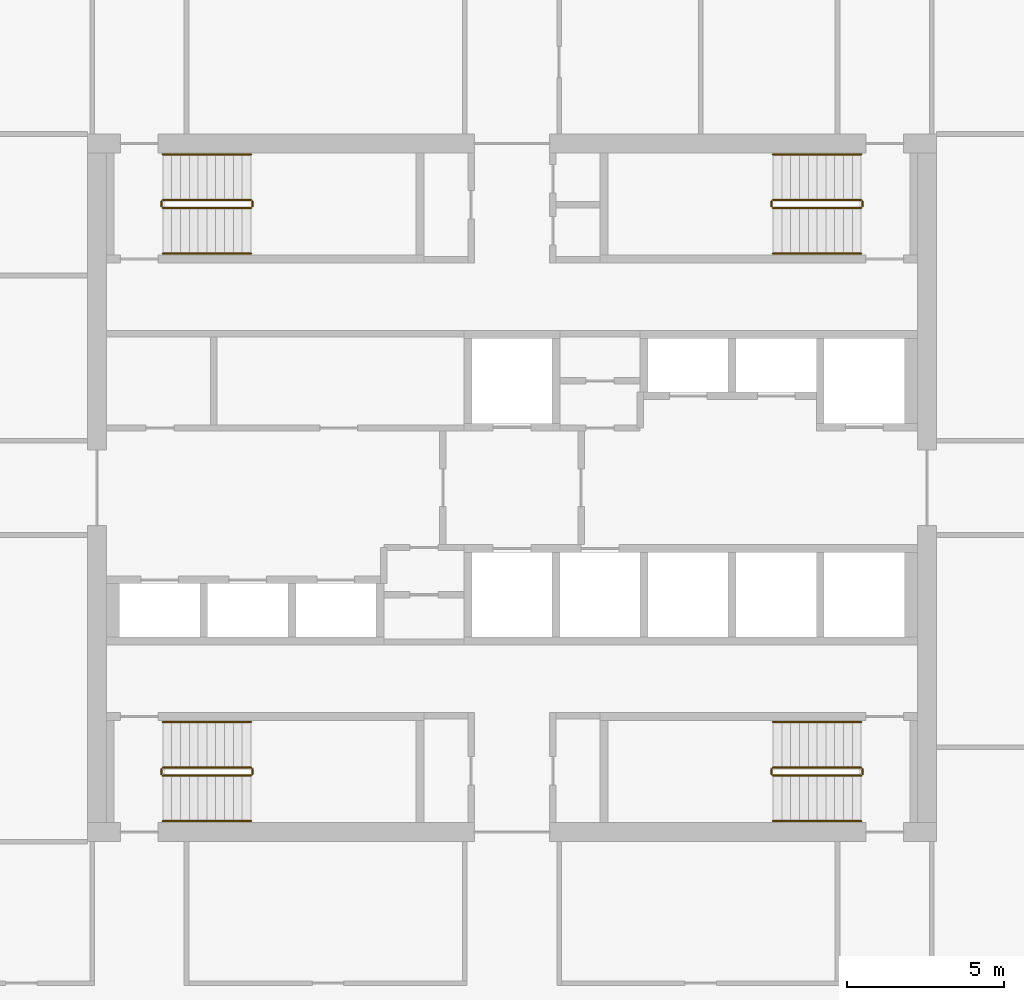
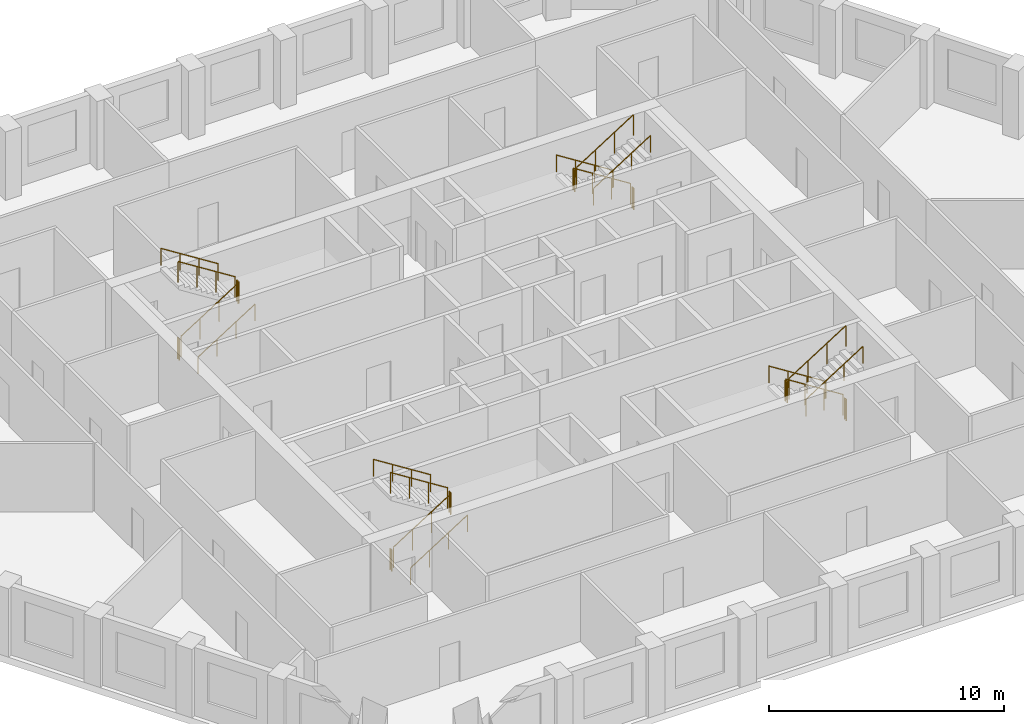
# One storey, part 9 of 9: 24 railings.
"""IFC4 building model written with IfcOpenShell, lengths in metres."""

from ifc_helpers import new_model, si_unit, direction, frame, origin, origin_2d, place, context, subcontext, project, spatial, circle, extrude, material, type_object, element, save


model = new_model("IFC4")

# Units and contexts
model_context = context("Model", 3, precision=1e-05, world=origin(), true_north=direction((0.0, 1.0)))
body_context = subcontext(model_context, "Body", "Model", "MODEL_VIEW")
ifc_project = project(units=[si_unit("LENGTHUNIT", "METRE"), si_unit("AREAUNIT", "SQUARE_METRE"), si_unit("VOLUMEUNIT", "CUBIC_METRE"), si_unit("PLANEANGLEUNIT", "RADIAN"), si_unit("MASSUNIT", "GRAM", prefix="KILO")], contexts=[model_context])

# Site, building, storey
site_placement = place(None, origin())
site = spatial("IfcSite", under=ifc_project, at=site_placement, CompositionType="ELEMENT")
building_placement = place(site_placement, origin())
building = spatial("IfcBuilding", under=site, at=building_placement, Name="Dhurran Vertical Campus", CompositionType="ELEMENT")
storey_placement = place(building_placement, frame((0.0, 0.0, 199.5)))
storey = spatial("IfcBuildingStorey", under=building, at=storey_placement, Name="L49", CompositionType="ELEMENT", Elevation=199.5)

# Railings
ifc_material_1 = material(Name="Stainless steel balustrade", Category="steel")
railing_type_1 = type_object("IfcRailingType", Name="co-RL-GUARD-1100", PredefinedType="GUARDRAIL", material=ifc_material_1)
railing_1_placement = place(storey_placement, frame((-11.10009765625, 8.89990234375, 0.17724609375)))
element("IfcRailing", 1, at=railing_1_placement, inside=storey, type_object=railing_type_1, Name="L49 ST1 stair guard 1", PredefinedType="GUARDRAIL", context=body_context, shape_type="SweptSolid", body=[
    extrude(circle(Radius=0.02392578125, at=origin_2d()), frame((0.0, 0.0, 1.076171875), z_axis=(0.844908973607, 0.0, 0.534910110503), x_axis=(0.0, 1.0, 0.0)), (0.0, 0.0, 1.0), 3.31396484375),
    extrude(circle(Radius=0.02099609375, at=origin_2d()), origin(), (0.0, 0.0, 1.0), 1.052001953125),
    extrude(circle(Radius=0.02099609375, at=origin_2d()), frame((0.933349609375, 0.0, 0.5908203125)), (0.0, 0.0, 1.0), 1.052001953125),
    extrude(circle(Radius=0.02099609375, at=origin_2d()), frame((1.86669921875, 0.0, 1.181884765625)), (0.0, 0.0, 1.0), 1.052001953125),
    extrude(circle(Radius=0.02099609375, at=origin_2d()), frame((2.800048828125, 0.0, 1.772705078125)), (0.0, 0.0, 1.0), 1.052001953125),
])
railing_2_placement = place(storey_placement, frame((-8.25, 8.949951171875, 1.949951171875)))
element("IfcRailing", 2, at=railing_2_placement, inside=storey, type_object=railing_type_1, Name="L49 ST1 stair guard 2", PredefinedType="GUARDRAIL", context=body_context, shape_type="SweptSolid", body=[
    extrude(circle(Radius=0.02392578125, at=origin_2d()), frame((0.0, 0.0, 1.076171875), z_axis=(0.0, 1.0, 0.0), x_axis=(-1.0, 0.0, 0.0)), (0.0, 0.0, 1.0), 0.150146484375),
    extrude(circle(Radius=0.02099609375, at=origin_2d()), origin(), (0.0, 0.0, 1.0), 1.052001953125),
    extrude(circle(Radius=0.02099609375, at=origin_2d()), frame((0.0, 0.150146484375, 0.0)), (0.0, 0.0, 1.0), 1.052001953125),
])
railing_3_placement = place(storey_placement, frame((-8.300048828125, 9.14990234375, 2.127197265625)))
element("IfcRailing", 3, at=railing_3_placement, inside=storey, type_object=railing_type_1, Name="L49 ST1 stair guard 3", PredefinedType="GUARDRAIL", context=body_context, shape_type="SweptSolid", body=[
    extrude(circle(Radius=0.02392578125, at=origin_2d()), frame((0.0, 0.0, 1.076171875), z_axis=(-0.844908973607, 0.0, 0.534910110503), x_axis=(0.0, -1.0, 0.0)), (0.0, 0.0, 1.0), 3.31396484375),
    extrude(circle(Radius=0.02099609375, at=origin_2d()), origin(), (0.0, 0.0, 1.0), 1.052001953125),
    extrude(circle(Radius=0.02099609375, at=origin_2d()), frame((-0.933349609375, 0.0, 0.5908203125)), (0.0, 0.0, 1.0), 1.052001953125),
    extrude(circle(Radius=0.02099609375, at=origin_2d()), frame((-1.86669921875, 0.0, 1.181884765625)), (0.0, 0.0, 1.0), 1.052001953125),
    extrude(circle(Radius=0.02099609375, at=origin_2d()), frame((-2.800048828125, 0.0, 1.772705078125)), (0.0, 0.0, 1.0), 1.052001953125),
])
railing_4_placement = place(storey_placement, frame((-11.14990234375, 8.949951171875, 0.0)))
element("IfcRailing", 4, at=railing_4_placement, inside=storey, type_object=railing_type_1, Name="L49 ST1 stair guard 4", PredefinedType="GUARDRAIL", context=body_context, shape_type="SweptSolid", body=[
    extrude(circle(Radius=0.02392578125, at=origin_2d()), frame((0.0, 0.0, 1.076171875), z_axis=(0.0, 1.0, 0.0), x_axis=(-1.0, 0.0, 0.0)), (0.0, 0.0, 1.0), 0.150146484375),
    extrude(circle(Radius=0.02099609375, at=origin_2d()), origin(), (0.0, 0.0, 1.0), 1.052001953125),
    extrude(circle(Radius=0.02099609375, at=origin_2d()), frame((0.0, 0.150146484375, 0.0)), (0.0, 0.0, 1.0), 1.052001953125),
])
railing_5_placement = place(storey_placement, frame((11.10009765625, 9.14990234375, 0.17724609375)))
element("IfcRailing", 5, at=railing_5_placement, inside=storey, type_object=railing_type_1, Name="L49 ST2 stair guard 1", PredefinedType="GUARDRAIL", context=body_context, shape_type="SweptSolid", body=[
    extrude(circle(Radius=0.02392578125, at=origin_2d()), frame((0.0, 0.0, 1.076171875), z_axis=(-0.844908973607, 0.0, 0.534910110503), x_axis=(0.0, -1.0, 0.0)), (0.0, 0.0, 1.0), 3.31396484375),
    extrude(circle(Radius=0.02099609375, at=origin_2d()), origin(), (0.0, 0.0, 1.0), 1.052001953125),
    extrude(circle(Radius=0.02099609375, at=origin_2d()), frame((-0.933349609375, 0.0, 0.5908203125)), (0.0, 0.0, 1.0), 1.052001953125),
    extrude(circle(Radius=0.02099609375, at=origin_2d()), frame((-1.86669921875, 0.0, 1.181884765625)), (0.0, 0.0, 1.0), 1.052001953125),
    extrude(circle(Radius=0.02099609375, at=origin_2d()), frame((-2.800048828125, 0.0, 1.772705078125)), (0.0, 0.0, 1.0), 1.052001953125),
])
railing_6_placement = place(storey_placement, frame((8.25, 9.10009765625, 1.949951171875)))
element("IfcRailing", 6, at=railing_6_placement, inside=storey, type_object=railing_type_1, Name="L49 ST2 stair guard 2", PredefinedType="GUARDRAIL", context=body_context, shape_type="SweptSolid", body=[
    extrude(circle(Radius=0.02392578125, at=origin_2d()), frame((0.0, 0.0, 1.076171875), z_axis=(0.0, -1.0, 0.0), x_axis=(1.0, 0.0, 0.0)), (0.0, 0.0, 1.0), 0.150146484375),
    extrude(circle(Radius=0.02099609375, at=origin_2d()), origin(), (0.0, 0.0, 1.0), 1.052001953125),
    extrude(circle(Radius=0.02099609375, at=origin_2d()), frame((0.0, -0.150146484375, 0.0)), (0.0, 0.0, 1.0), 1.052001953125),
])
railing_7_placement = place(storey_placement, frame((8.300048828125, 8.89990234375, 2.127197265625)))
element("IfcRailing", 7, at=railing_7_placement, inside=storey, type_object=railing_type_1, Name="L49 ST2 stair guard 3", PredefinedType="GUARDRAIL", context=body_context, shape_type="SweptSolid", body=[
    extrude(circle(Radius=0.02392578125, at=origin_2d()), frame((0.0, 0.0, 1.076171875), z_axis=(0.844908973607, 0.0, 0.534910110503), x_axis=(0.0, 1.0, 0.0)), (0.0, 0.0, 1.0), 3.31396484375),
    extrude(circle(Radius=0.02099609375, at=origin_2d()), origin(), (0.0, 0.0, 1.0), 1.052001953125),
    extrude(circle(Radius=0.02099609375, at=origin_2d()), frame((0.933349609375, 0.0, 0.5908203125)), (0.0, 0.0, 1.0), 1.052001953125),
    extrude(circle(Radius=0.02099609375, at=origin_2d()), frame((1.86669921875, 0.0, 1.181884765625)), (0.0, 0.0, 1.0), 1.052001953125),
    extrude(circle(Radius=0.02099609375, at=origin_2d()), frame((2.800048828125, 0.0, 1.772705078125)), (0.0, 0.0, 1.0), 1.052001953125),
])
railing_8_placement = place(storey_placement, frame((11.14990234375, 9.10009765625, 0.0)))
element("IfcRailing", 8, at=railing_8_placement, inside=storey, type_object=railing_type_1, Name="L49 ST2 stair guard 4", PredefinedType="GUARDRAIL", context=body_context, shape_type="SweptSolid", body=[
    extrude(circle(Radius=0.02392578125, at=origin_2d()), frame((0.0, 0.0, 1.076171875), z_axis=(0.0, -1.0, 0.0), x_axis=(1.0, 0.0, 0.0)), (0.0, 0.0, 1.0), 0.150146484375),
    extrude(circle(Radius=0.02099609375, at=origin_2d()), origin(), (0.0, 0.0, 1.0), 1.052001953125),
    extrude(circle(Radius=0.02099609375, at=origin_2d()), frame((0.0, -0.150146484375, 0.0)), (0.0, 0.0, 1.0), 1.052001953125),
])
railing_9_placement = place(storey_placement, frame((-11.10009765625, -9.14990234375, 0.17724609375)))
element("IfcRailing", 9, at=railing_9_placement, inside=storey, type_object=railing_type_1, Name="L49 ST3 stair guard 1", PredefinedType="GUARDRAIL", context=body_context, shape_type="SweptSolid", body=[
    extrude(circle(Radius=0.02392578125, at=origin_2d()), frame((0.0, 0.0, 1.076171875), z_axis=(0.844908973607, 0.0, 0.534910110503), x_axis=(0.0, 1.0, 0.0)), (0.0, 0.0, 1.0), 3.31396484375),
    extrude(circle(Radius=0.02099609375, at=origin_2d()), origin(), (0.0, 0.0, 1.0), 1.052001953125),
    extrude(circle(Radius=0.02099609375, at=origin_2d()), frame((0.933349609375, 0.0, 0.5908203125)), (0.0, 0.0, 1.0), 1.052001953125),
    extrude(circle(Radius=0.02099609375, at=origin_2d()), frame((1.86669921875, 0.0, 1.181884765625)), (0.0, 0.0, 1.0), 1.052001953125),
    extrude(circle(Radius=0.02099609375, at=origin_2d()), frame((2.800048828125, 0.0, 1.772705078125)), (0.0, 0.0, 1.0), 1.052001953125),
])
railing_10_placement = place(storey_placement, frame((-8.25, -9.10009765625, 1.949951171875)))
element("IfcRailing", 10, at=railing_10_placement, inside=storey, type_object=railing_type_1, Name="L49 ST3 stair guard 2", PredefinedType="GUARDRAIL", context=body_context, shape_type="SweptSolid", body=[
    extrude(circle(Radius=0.02392578125, at=origin_2d()), frame((0.0, 0.0, 1.076171875), z_axis=(0.0, 1.0, 0.0), x_axis=(-1.0, 0.0, 0.0)), (0.0, 0.0, 1.0), 0.150146484375),
    extrude(circle(Radius=0.02099609375, at=origin_2d()), origin(), (0.0, 0.0, 1.0), 1.052001953125),
    extrude(circle(Radius=0.02099609375, at=origin_2d()), frame((0.0, 0.150146484375, 0.0)), (0.0, 0.0, 1.0), 1.052001953125),
])
railing_11_placement = place(storey_placement, frame((-8.300048828125, -8.89990234375, 2.127197265625)))
element("IfcRailing", 11, at=railing_11_placement, inside=storey, type_object=railing_type_1, Name="L49 ST3 stair guard 3", PredefinedType="GUARDRAIL", context=body_context, shape_type="SweptSolid", body=[
    extrude(circle(Radius=0.02392578125, at=origin_2d()), frame((0.0, 0.0, 1.076171875), z_axis=(-0.844908973607, 0.0, 0.534910110503), x_axis=(0.0, -1.0, 0.0)), (0.0, 0.0, 1.0), 3.31396484375),
    extrude(circle(Radius=0.02099609375, at=origin_2d()), origin(), (0.0, 0.0, 1.0), 1.052001953125),
    extrude(circle(Radius=0.02099609375, at=origin_2d()), frame((-0.933349609375, 0.0, 0.5908203125)), (0.0, 0.0, 1.0), 1.052001953125),
    extrude(circle(Radius=0.02099609375, at=origin_2d()), frame((-1.86669921875, 0.0, 1.181884765625)), (0.0, 0.0, 1.0), 1.052001953125),
    extrude(circle(Radius=0.02099609375, at=origin_2d()), frame((-2.800048828125, 0.0, 1.772705078125)), (0.0, 0.0, 1.0), 1.052001953125),
])
railing_12_placement = place(storey_placement, frame((-11.14990234375, -9.10009765625, 0.0)))
element("IfcRailing", 12, at=railing_12_placement, inside=storey, type_object=railing_type_1, Name="L49 ST3 stair guard 4", PredefinedType="GUARDRAIL", context=body_context, shape_type="SweptSolid", body=[
    extrude(circle(Radius=0.02392578125, at=origin_2d()), frame((0.0, 0.0, 1.076171875), z_axis=(0.0, 1.0, 0.0), x_axis=(-1.0, 0.0, 0.0)), (0.0, 0.0, 1.0), 0.150146484375),
    extrude(circle(Radius=0.02099609375, at=origin_2d()), origin(), (0.0, 0.0, 1.0), 1.052001953125),
    extrude(circle(Radius=0.02099609375, at=origin_2d()), frame((0.0, 0.150146484375, 0.0)), (0.0, 0.0, 1.0), 1.052001953125),
])
railing_13_placement = place(storey_placement, frame((11.10009765625, -8.89990234375, 0.17724609375)))
element("IfcRailing", 13, at=railing_13_placement, inside=storey, type_object=railing_type_1, Name="L49 ST4 stair guard 1", PredefinedType="GUARDRAIL", context=body_context, shape_type="SweptSolid", body=[
    extrude(circle(Radius=0.02392578125, at=origin_2d()), frame((0.0, 0.0, 1.076171875), z_axis=(-0.844908973607, 0.0, 0.534910110503), x_axis=(0.0, -1.0, 0.0)), (0.0, 0.0, 1.0), 3.31396484375),
    extrude(circle(Radius=0.02099609375, at=origin_2d()), origin(), (0.0, 0.0, 1.0), 1.052001953125),
    extrude(circle(Radius=0.02099609375, at=origin_2d()), frame((-0.933349609375, 0.0, 0.5908203125)), (0.0, 0.0, 1.0), 1.052001953125),
    extrude(circle(Radius=0.02099609375, at=origin_2d()), frame((-1.86669921875, 0.0, 1.181884765625)), (0.0, 0.0, 1.0), 1.052001953125),
    extrude(circle(Radius=0.02099609375, at=origin_2d()), frame((-2.800048828125, 0.0, 1.772705078125)), (0.0, 0.0, 1.0), 1.052001953125),
])
railing_14_placement = place(storey_placement, frame((8.25, -8.949951171875, 1.949951171875)))
element("IfcRailing", 14, at=railing_14_placement, inside=storey, type_object=railing_type_1, Name="L49 ST4 stair guard 2", PredefinedType="GUARDRAIL", context=body_context, shape_type="SweptSolid", body=[
    extrude(circle(Radius=0.02392578125, at=origin_2d()), frame((0.0, 0.0, 1.076171875), z_axis=(0.0, -1.0, 0.0), x_axis=(1.0, 0.0, 0.0)), (0.0, 0.0, 1.0), 0.150146484375),
    extrude(circle(Radius=0.02099609375, at=origin_2d()), origin(), (0.0, 0.0, 1.0), 1.052001953125),
    extrude(circle(Radius=0.02099609375, at=origin_2d()), frame((0.0, -0.150146484375, 0.0)), (0.0, 0.0, 1.0), 1.052001953125),
])
railing_15_placement = place(storey_placement, frame((8.300048828125, -9.14990234375, 2.127197265625)))
element("IfcRailing", 15, at=railing_15_placement, inside=storey, type_object=railing_type_1, Name="L49 ST4 stair guard 3", PredefinedType="GUARDRAIL", context=body_context, shape_type="SweptSolid", body=[
    extrude(circle(Radius=0.02392578125, at=origin_2d()), frame((0.0, 0.0, 1.076171875), z_axis=(0.844908973607, 0.0, 0.534910110503), x_axis=(0.0, 1.0, 0.0)), (0.0, 0.0, 1.0), 3.31396484375),
    extrude(circle(Radius=0.02099609375, at=origin_2d()), origin(), (0.0, 0.0, 1.0), 1.052001953125),
    extrude(circle(Radius=0.02099609375, at=origin_2d()), frame((0.933349609375, 0.0, 0.5908203125)), (0.0, 0.0, 1.0), 1.052001953125),
    extrude(circle(Radius=0.02099609375, at=origin_2d()), frame((1.86669921875, 0.0, 1.181884765625)), (0.0, 0.0, 1.0), 1.052001953125),
    extrude(circle(Radius=0.02099609375, at=origin_2d()), frame((2.800048828125, 0.0, 1.772705078125)), (0.0, 0.0, 1.0), 1.052001953125),
])
railing_16_placement = place(storey_placement, frame((11.14990234375, -8.949951171875, 0.0)))
element("IfcRailing", 16, at=railing_16_placement, inside=storey, type_object=railing_type_1, Name="L49 ST4 stair guard 4", PredefinedType="GUARDRAIL", context=body_context, shape_type="SweptSolid", body=[
    extrude(circle(Radius=0.02392578125, at=origin_2d()), frame((0.0, 0.0, 1.076171875), z_axis=(0.0, -1.0, 0.0), x_axis=(1.0, 0.0, 0.0)), (0.0, 0.0, 1.0), 0.150146484375),
    extrude(circle(Radius=0.02099609375, at=origin_2d()), origin(), (0.0, 0.0, 1.0), 1.052001953125),
    extrude(circle(Radius=0.02099609375, at=origin_2d()), frame((0.0, -0.150146484375, 0.0)), (0.0, 0.0, 1.0), 1.052001953125),
])
ifc_material_2 = material(Name="Stainless steel handrail", Category="steel")
railing_type_2 = type_object("IfcRailingType", Name="co-RL-HANDRAIL-900", PredefinedType="HANDRAIL", material=ifc_material_2)
railing_17_placement = place(storey_placement, frame((-11.10009765625, 7.449951171875, 0.17724609375)))
element("IfcRailing", 17, at=railing_17_placement, inside=storey, type_object=railing_type_2, Name="L49 ST1 stair handrail 1", PredefinedType="HANDRAIL", context=body_context, shape_type="SweptSolid", body=[
    extrude(circle(Radius=0.02392578125, at=origin_2d()), frame((0.0, 0.0, 0.8759765625), z_axis=(0.844908973607, 0.0, 0.534910110503), x_axis=(0.0, 1.0, 0.0)), (0.0, 0.0, 1.0), 3.31396484375),
    extrude(circle(Radius=0.02099609375, at=origin_2d()), origin(), (0.0, 0.0, 1.0), 0.851806640625),
    extrude(circle(Radius=0.02099609375, at=origin_2d()), frame((0.933349609375, 0.0, 0.5908203125)), (0.0, 0.0, 1.0), 0.851806640625),
    extrude(circle(Radius=0.02099609375, at=origin_2d()), frame((1.86669921875, 0.0, 1.181884765625)), (0.0, 0.0, 1.0), 0.851806640625),
    extrude(circle(Radius=0.02099609375, at=origin_2d()), frame((2.800048828125, 0.0, 1.772705078125)), (0.0, 0.0, 1.0), 0.851806640625),
])
for number, where, name in (
    (18, (-8.300048828125, 10.60009765625, 2.127197265625), "L49 ST1 stair handrail 2"),
    (19, (11.10009765625, 10.60009765625, 0.17724609375), "L49 ST2 stair handrail 1"),
):
    element("IfcRailing", number, at=place(storey_placement, frame(where)), inside=storey, type_object=railing_type_2, Name=name, PredefinedType="HANDRAIL", context=body_context, shape_type="SweptSolid", body=[
        extrude(circle(Radius=0.02392578125, at=origin_2d()), frame((0.0, 0.0, 0.8759765625), z_axis=(-0.844908973607, 0.0, 0.534910110503), x_axis=(0.0, -1.0, 0.0)), (0.0, 0.0, 1.0), 3.31396484375),
        extrude(circle(Radius=0.02099609375, at=origin_2d()), origin(), (0.0, 0.0, 1.0), 0.851806640625),
        extrude(circle(Radius=0.02099609375, at=origin_2d()), frame((-0.933349609375, 0.0, 0.5908203125)), (0.0, 0.0, 1.0), 0.851806640625),
        extrude(circle(Radius=0.02099609375, at=origin_2d()), frame((-1.86669921875, 0.0, 1.181884765625)), (0.0, 0.0, 1.0), 0.851806640625),
        extrude(circle(Radius=0.02099609375, at=origin_2d()), frame((-2.800048828125, 0.0, 1.772705078125)), (0.0, 0.0, 1.0), 0.851806640625),
    ])
for number, where, name in (
    (20, (8.300048828125, 7.449951171875, 2.127197265625), "L49 ST2 stair handrail 2"),
    (21, (-11.10009765625, -10.60009765625, 0.17724609375), "L49 ST3 stair handrail 1"),
):
    element("IfcRailing", number, at=place(storey_placement, frame(where)), inside=storey, type_object=railing_type_2, Name=name, PredefinedType="HANDRAIL", context=body_context, shape_type="SweptSolid", body=[
        extrude(circle(Radius=0.02392578125, at=origin_2d()), frame((0.0, 0.0, 0.8759765625), z_axis=(0.844908973607, 0.0, 0.534910110503), x_axis=(0.0, 1.0, 0.0)), (0.0, 0.0, 1.0), 3.31396484375),
        extrude(circle(Radius=0.02099609375, at=origin_2d()), origin(), (0.0, 0.0, 1.0), 0.851806640625),
        extrude(circle(Radius=0.02099609375, at=origin_2d()), frame((0.933349609375, 0.0, 0.5908203125)), (0.0, 0.0, 1.0), 0.851806640625),
        extrude(circle(Radius=0.02099609375, at=origin_2d()), frame((1.86669921875, 0.0, 1.181884765625)), (0.0, 0.0, 1.0), 0.851806640625),
        extrude(circle(Radius=0.02099609375, at=origin_2d()), frame((2.800048828125, 0.0, 1.772705078125)), (0.0, 0.0, 1.0), 0.851806640625),
    ])
for number, where, name in (
    (22, (-8.300048828125, -7.449951171875, 2.127197265625), "L49 ST3 stair handrail 2"),
    (23, (11.10009765625, -7.449951171875, 0.17724609375), "L49 ST4 stair handrail 1"),
):
    element("IfcRailing", number, at=place(storey_placement, frame(where)), inside=storey, type_object=railing_type_2, Name=name, PredefinedType="HANDRAIL", context=body_context, shape_type="SweptSolid", body=[
        extrude(circle(Radius=0.02392578125, at=origin_2d()), frame((0.0, 0.0, 0.8759765625), z_axis=(-0.844908973607, 0.0, 0.534910110503), x_axis=(0.0, -1.0, 0.0)), (0.0, 0.0, 1.0), 3.31396484375),
        extrude(circle(Radius=0.02099609375, at=origin_2d()), origin(), (0.0, 0.0, 1.0), 0.851806640625),
        extrude(circle(Radius=0.02099609375, at=origin_2d()), frame((-0.933349609375, 0.0, 0.5908203125)), (0.0, 0.0, 1.0), 0.851806640625),
        extrude(circle(Radius=0.02099609375, at=origin_2d()), frame((-1.86669921875, 0.0, 1.181884765625)), (0.0, 0.0, 1.0), 0.851806640625),
        extrude(circle(Radius=0.02099609375, at=origin_2d()), frame((-2.800048828125, 0.0, 1.772705078125)), (0.0, 0.0, 1.0), 0.851806640625),
    ])
railing_18_placement = place(storey_placement, frame((8.300048828125, -10.60009765625, 2.127197265625)))
element("IfcRailing", 24, at=railing_18_placement, inside=storey, type_object=railing_type_2, Name="L49 ST4 stair handrail 2", PredefinedType="HANDRAIL", context=body_context, shape_type="SweptSolid", body=[
    extrude(circle(Radius=0.02392578125, at=origin_2d()), frame((0.0, 0.0, 0.8759765625), z_axis=(0.844908973607, 0.0, 0.534910110503), x_axis=(0.0, 1.0, 0.0)), (0.0, 0.0, 1.0), 3.31396484375),
    extrude(circle(Radius=0.02099609375, at=origin_2d()), origin(), (0.0, 0.0, 1.0), 0.851806640625),
    extrude(circle(Radius=0.02099609375, at=origin_2d()), frame((0.933349609375, 0.0, 0.5908203125)), (0.0, 0.0, 1.0), 0.851806640625),
    extrude(circle(Radius=0.02099609375, at=origin_2d()), frame((1.86669921875, 0.0, 1.181884765625)), (0.0, 0.0, 1.0), 0.851806640625),
    extrude(circle(Radius=0.02099609375, at=origin_2d()), frame((2.800048828125, 0.0, 1.772705078125)), (0.0, 0.0, 1.0), 0.851806640625),
])

save(model, "model.ifc")
